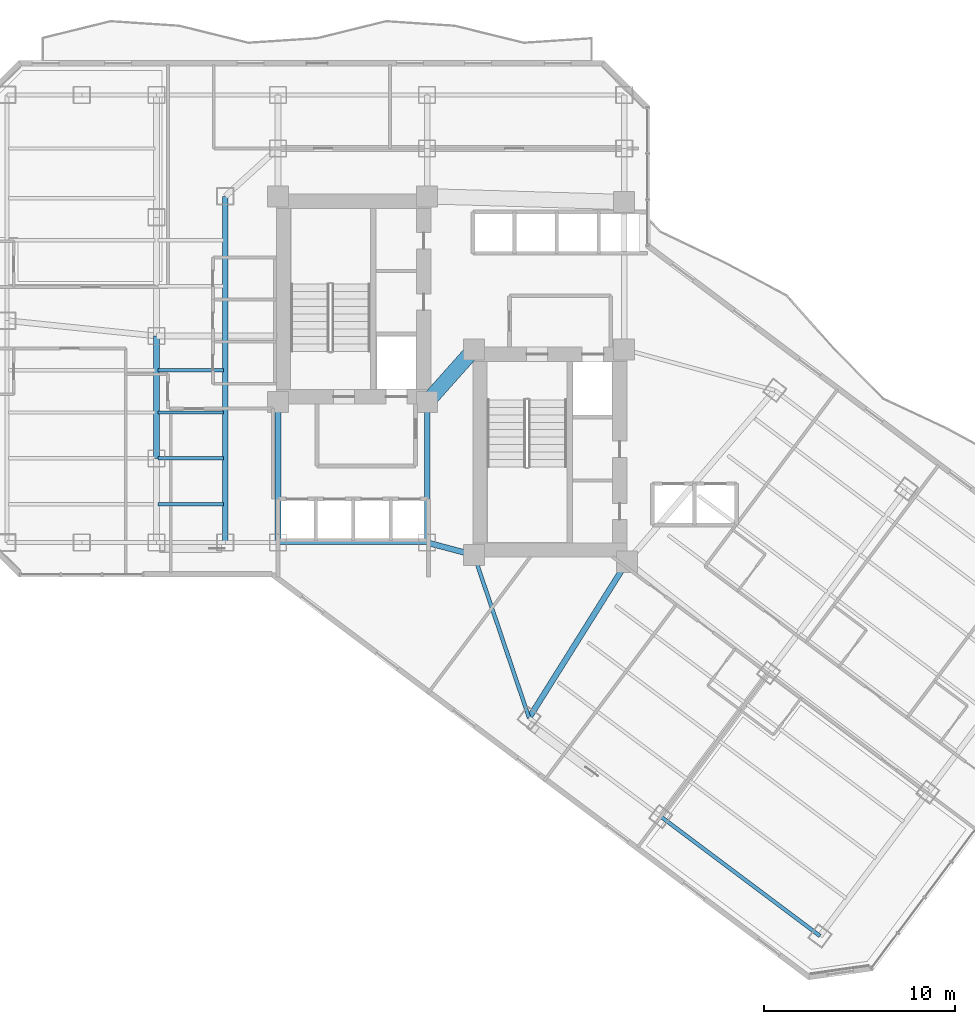
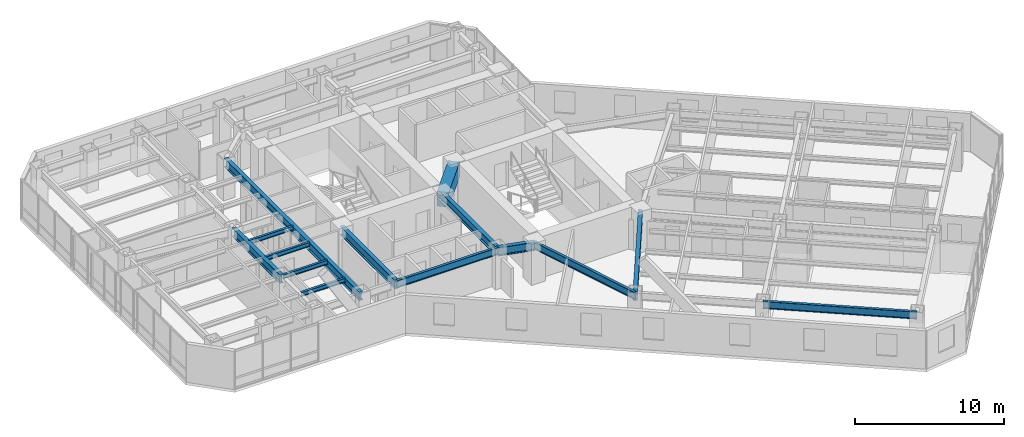
# One storey, part 5 of 31: 14 beams.
"""IFC4 building model written with IfcOpenShell, lengths in metres."""

from ifc_helpers import new_model, si_unit, direction, frame, origin, origin_2d, place, context, subcontext, project, spatial, rectangle, i_section, extrude, material, material_profile, profile_set, type_object, element, save


model = new_model("IFC4")

# Units and contexts
model_context = context("Model", 3, precision=1e-05, world=origin(), true_north=direction((0.0, 1.0)))
body_context = subcontext(model_context, "Body", "Model", "MODEL_VIEW")
ifc_project = project(units=[si_unit("LENGTHUNIT", "METRE"), si_unit("AREAUNIT", "SQUARE_METRE"), si_unit("VOLUMEUNIT", "CUBIC_METRE"), si_unit("PLANEANGLEUNIT", "RADIAN"), si_unit("MASSUNIT", "GRAM", prefix="KILO")], contexts=[model_context])

# Site, building, storey
site_placement = place(None, origin())
site = spatial("IfcSite", under=ifc_project, at=site_placement, CompositionType="ELEMENT")
building_placement = place(site_placement, origin())
building = spatial("IfcBuilding", under=site, at=building_placement, Name="Hatsunagi Terrace Concourse", CompositionType="ELEMENT")
storey_placement = place(building_placement, frame((0.0, 0.0, 77.949951171875)))
storey = spatial("IfcBuildingStorey", under=building, at=storey_placement, Name="L20", CompositionType="ELEMENT", Elevation=77.949951171875)

# Beams
ifc_material_1 = material(Name="Concrete Fc60", Category="concrete")
ifc_material_profile_1 = material_profile(ifc_material_1, rectangle(XDim=0.800048828125, YDim=1.199951171875, at=origin_2d()), Name="RC-800x1200")
ifc_profile_set_1 = profile_set([ifc_material_profile_1], Name="Concrete Fc60")
beam_type_1 = type_object("IfcBeamType", Name="CoreCouplingBeam_RC_800x1200", PredefinedType="BEAM", material=ifc_profile_set_1)
beam_1_placement = place(storey_placement, frame((33.35009765625, 32.550048828125, 2.530029296875), z_axis=(0.665198651008, 0.746666427997, 0.0), x_axis=(-0.746666427997, 0.665198651008, 0.0)))
element("IfcBeam", 1, at=beam_1_placement, inside=storey, type_object=beam_type_1, Name="Beam CB-01 CB-L20-1", PredefinedType="BEAM", context=body_context, shape_type="SweptSolid", body=[
    extrude(rectangle(XDim=0.800048828125, YDim=1.199951171875, at=origin_2d()), origin(), (0.0, 0.0, 1.0), 3.68310546875),
])
ifc_material_2 = material(Name="Steel SN490B", Category="steel")
ifc_material_profile_2 = material_profile(ifc_material_2, i_section(OverallWidth=0.300048828125, OverallDepth=0.699951171875, WebThickness=0.012939453125, FlangeThickness=0.02392578125, FilletRadius=0.02197265625, at=origin_2d()), Name="H-700x300x13x24")
ifc_profile_set_2 = profile_set([ifc_material_profile_2], Name="Steel SN490B")
beam_type_2 = type_object("IfcBeamType", Name="HotelFloorGirder_H_700x300", PredefinedType="BEAM", material=ifc_profile_set_2)
for number, where, z_axis, x_axis, name in (
    (2, (25.550048828125, 25.199951171875, 2.780029296875), (0.0, 1.0, 0.0), (-1.0, 0.0, 0.0), "Beam G-04 BM-L20-K1CA"),
    (3, (33.35009765625, 25.199951171875, 2.780029296875), (0.0, 1.0, 0.0), (-1.0, 0.0, 0.0), "Beam G-04 BM-L20-K2CA"),
):
    element("IfcBeam", number, at=place(storey_placement, frame(where, z_axis=z_axis, x_axis=x_axis)), inside=storey, type_object=beam_type_2, Name=name, PredefinedType="BEAM", context=body_context, shape_type="SweptSolid", body=[
        extrude(i_section(OverallWidth=0.300048828125, OverallDepth=0.699951171875, WebThickness=0.012939453125, FlangeThickness=0.02392578125, FilletRadius=0.02197265625, at=origin_2d()), origin(), (0.0, 0.0, 1.0), 7.35009765625),
    ])
beam_2_placement = place(storey_placement, frame((33.35009765625, 25.199951171875, 2.780029296875), z_axis=(0.966569840116, -0.256403479262, 0.0), x_axis=(0.256403479262, 0.966569840116, 0.0)))
element("IfcBeam", 4, at=beam_2_placement, inside=storey, type_object=beam_type_2, Name="Beam G-04 BM-L20-K2CB", PredefinedType="BEAM", context=body_context, shape_type="SweptSolid", body=[
    extrude(i_section(OverallWidth=0.300048828125, OverallDepth=0.699951171875, WebThickness=0.012939453125, FlangeThickness=0.02392578125, FilletRadius=0.02197265625, at=origin_2d()), origin(), (0.0, 0.0, 1.0), 2.53466796875),
])
beam_3_placement = place(storey_placement, frame((22.800048828125, 25.199951171875, 2.780029296875), z_axis=(0.0, 1.0, 0.0), x_axis=(-1.0, 0.0, 0.0)))
element("IfcBeam", 5, at=beam_3_placement, inside=storey, type_object=beam_type_2, Name="Beam G-04 BM-L20-CWNS", PredefinedType="BEAM", context=body_context, shape_type="SweptSolid", body=[
    extrude(i_section(OverallWidth=0.300048828125, OverallDepth=0.699951171875, WebThickness=0.012939453125, FlangeThickness=0.02392578125, FilletRadius=0.02197265625, at=origin_2d()), origin(), (0.0, 0.0, 1.0), 18.10009765625),
])
beam_4_placement = place(storey_placement, frame((19.199951171875, 29.60009765625, 2.780029296875), z_axis=(0.0, 1.0, 0.0), x_axis=(-1.0, 0.0, 0.0)))
element("IfcBeam", 6, at=beam_4_placement, inside=storey, type_object=beam_type_2, Name="Beam G-04 BM-L20-NS-19-29", PredefinedType="BEAM", context=body_context, shape_type="SweptSolid", body=[
    extrude(i_section(OverallWidth=0.300048828125, OverallDepth=0.699951171875, WebThickness=0.012939453125, FlangeThickness=0.02392578125, FilletRadius=0.02197265625, at=origin_2d()), origin(), (0.0, 0.0, 1.0), 6.39990234375),
])
beam_5_placement = place(storey_placement, frame((38.679931640625, 16.0400390625, 2.780029296875), z_axis=(0.531503907049, 0.847055840421, 0.0), x_axis=(-0.847055840421, 0.531503907049, 0.0)))
element("IfcBeam", 7, at=beam_5_placement, inside=storey, type_object=beam_type_2, Name="Beam G-04 BM-L20-SET-1A", PredefinedType="BEAM", context=body_context, shape_type="SweptSolid", body=[
    extrude(i_section(OverallWidth=0.300048828125, OverallDepth=0.699951171875, WebThickness=0.012939453125, FlangeThickness=0.02392578125, FilletRadius=0.02197265625, at=origin_2d()), origin(), (0.0, 0.0, 1.0), 9.63330078125),
])
ifc_material_3 = material(Name="Steel SN490B", Category="steel")
ifc_material_profile_3 = material_profile(ifc_material_3, i_section(OverallWidth=0.175048828125, OverallDepth=0.35009765625, WebThickness=0.007080078125, FlangeThickness=0.010986328125, FilletRadius=0.012939453125, at=origin_2d()), Name="H-350x175x7x11")
ifc_profile_set_3 = profile_set([ifc_material_profile_3], Name="Steel SN490B")
beam_type_3 = type_object("IfcBeamType", Name="HotelJoist_H_350x175", PredefinedType="JOIST", material=ifc_profile_set_3)
for number, where, z_axis, x_axis, name in (
    (8, (19.284912109375, 27.199951171875, 2.955078125), (1.0, 0.0, 0.0), (0.0, 1.0, 0.0), "Beam J-02 J-L20-W-19-272"),
    (9, (19.284912109375, 29.60009765625, 2.955078125), (1.0, 0.0, 0.0), (0.0, 1.0, 0.0), "Beam J-02 J-L20-W-19-296"),
    (10, (19.284912109375, 32.0, 2.955078125), (1.0, 0.0, 0.0), (0.0, 1.0, 0.0), "Beam J-02 J-L20-W-19-320"),
    (11, (19.284912109375, 34.199951171875, 2.955078125), (1.0, 0.0, 0.0), (0.0, 1.0, 0.0), "Beam J-02 J-L20-W-19-342"),
):
    element("IfcBeam", number, at=place(storey_placement, frame(where, z_axis=z_axis, x_axis=x_axis)), inside=storey, type_object=beam_type_3, Name=name, PredefinedType="JOIST", context=body_context, shape_type="SweptSolid", body=[
        extrude(i_section(OverallWidth=0.175048828125, OverallDepth=0.35009765625, WebThickness=0.007080078125, FlangeThickness=0.010986328125, FilletRadius=0.012939453125, at=origin_2d()), origin(), (0.0, 0.0, 1.0), 3.43017578125),
    ])
ifc_material_4 = material(Name="Steel SN490B", Category="steel")
ifc_material_profile_4 = material_profile(ifc_material_4, i_section(OverallWidth=0.199951171875, OverallDepth=0.60009765625, WebThickness=0.010986328125, FlangeThickness=0.01708984375, FilletRadius=0.01806640625, at=origin_2d()), Name="H-600x200x11x17")
ifc_profile_set_4 = profile_set([ifc_material_profile_4], Name="Steel SN490B")
beam_type_4 = type_object("IfcBeamType", Name="PerimeterSpandrel_H_600x200", PredefinedType="SPANDREL", material=ifc_profile_set_4)
beam_6_placement = place(storey_placement, frame((25.550048828125, 25.199951171875, 2.830078125), z_axis=(1.0, 0.0, 0.0), x_axis=(0.0, 1.0, 0.0)))
element("IfcBeam", 12, at=beam_6_placement, inside=storey, type_object=beam_type_4, Name="Beam SP-01 BM-L20-WS-25", PredefinedType="SPANDREL", context=body_context, shape_type="SweptSolid", body=[
    extrude(i_section(OverallWidth=0.199951171875, OverallDepth=0.60009765625, WebThickness=0.010986328125, FlangeThickness=0.01708984375, FilletRadius=0.01806640625, at=origin_2d()), origin(), (0.0, 0.0, 1.0), 7.800048828125),
])
beam_7_placement = place(storey_placement, frame((35.800048828125, 24.550048828125, 2.830078125), z_axis=(0.320553412271, -0.947230441805, 0.0), x_axis=(0.947230441805, 0.320553412271, 0.0)))
element("IfcBeam", 13, at=beam_7_placement, inside=storey, type_object=beam_type_4, Name="Beam SP-01 BM-L20-SE-SW0", PredefinedType="SPANDREL", context=body_context, shape_type="SweptSolid", body=[
    extrude(i_section(OverallWidth=0.199951171875, OverallDepth=0.60009765625, WebThickness=0.010986328125, FlangeThickness=0.01708984375, FilletRadius=0.01806640625, at=origin_2d()), origin(), (0.0, 0.0, 1.0), 8.984130859375),
])
beam_8_placement = place(storey_placement, frame((45.56005859375, 10.8798828125, 2.830078125), z_axis=(0.799994365871, -0.600007512099, 0.0), x_axis=(0.600007512099, 0.799994365871, 0.0)))
element("IfcBeam", 14, at=beam_8_placement, inside=storey, type_object=beam_type_4, Name="Beam SP-01 BM-L20-SE-SW3", PredefinedType="SPANDREL", context=body_context, shape_type="SweptSolid", body=[
    extrude(i_section(OverallWidth=0.199951171875, OverallDepth=0.60009765625, WebThickness=0.010986328125, FlangeThickness=0.01708984375, FilletRadius=0.01806640625, at=origin_2d()), origin(), (0.0, 0.0, 1.0), 10.39990234375),
])

save(model, "model.ifc")
